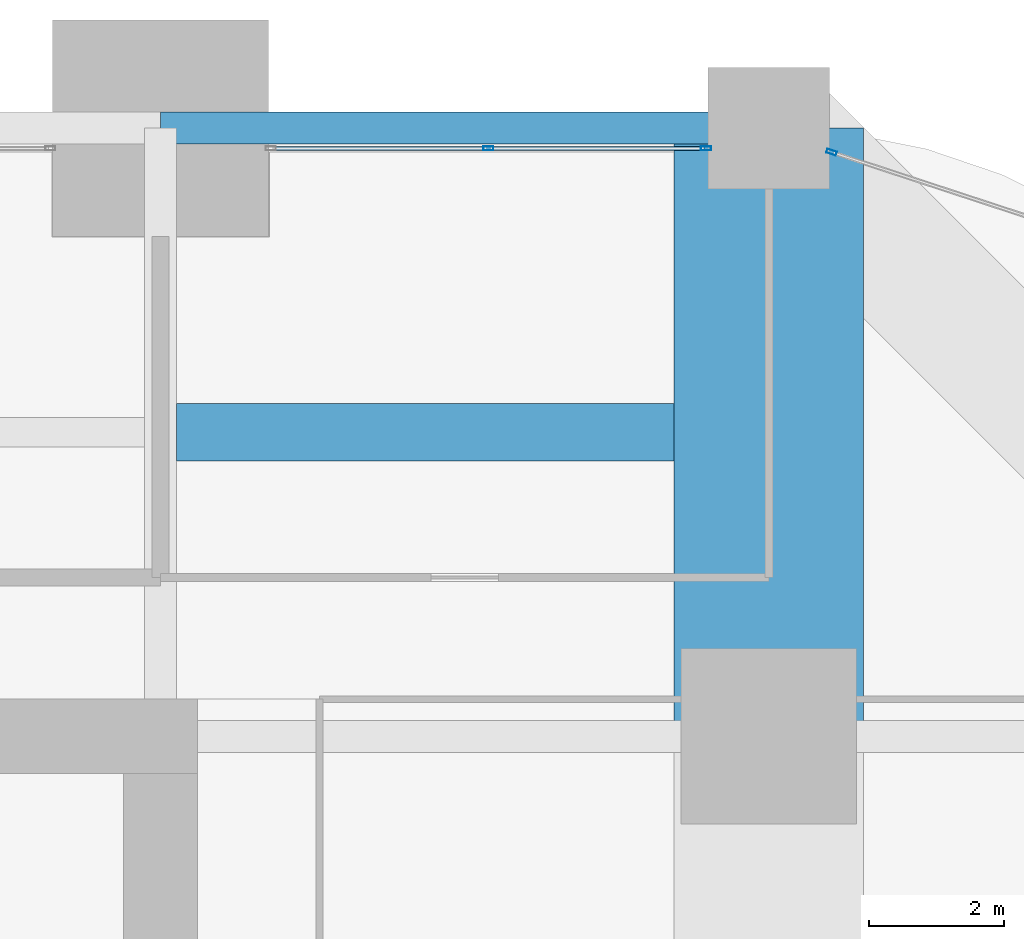
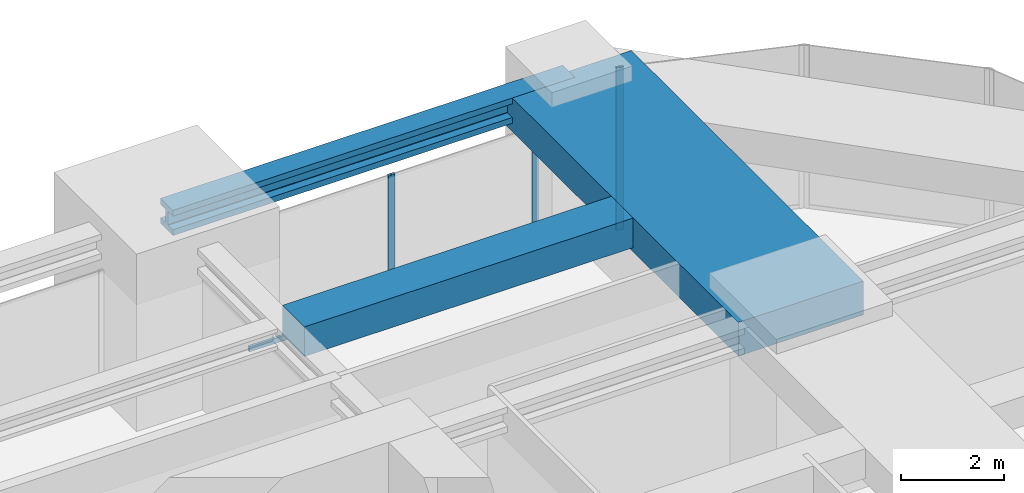
# One storey, part 38 of 45: 4 members, 3 beams, 2 elements without a shape of their own.
"""IFC4 building model written with IfcOpenShell, lengths in metres."""

from ifc_helpers import new_model, si_unit, direction, frame, origin, origin_2d, place, context, subcontext, project, spatial, rectangle, hollow_rectangle, i_section, extrude, material, material_profile, profile_set, type_object, element, aggregate, save


model = new_model("IFC4")

# Units and contexts
model_context = context("Model", 3, precision=1e-05, world=origin(), true_north=direction((0.0, 1.0)))
body_context = subcontext(model_context, "Body", "Model", "MODEL_VIEW")
ifc_project = project(units=[si_unit("LENGTHUNIT", "METRE"), si_unit("AREAUNIT", "SQUARE_METRE"), si_unit("VOLUMEUNIT", "CUBIC_METRE"), si_unit("PLANEANGLEUNIT", "RADIAN"), si_unit("MASSUNIT", "GRAM", prefix="KILO")], contexts=[model_context])

# Site, building, storey
site_placement = place(None, origin())
site = spatial("IfcSite", under=ifc_project, at=site_placement, CompositionType="ELEMENT")
building_placement = place(site_placement, origin())
building = spatial("IfcBuilding", under=site, at=building_placement, Name="Zorevar Civic Tower", CompositionType="ELEMENT")
storey_placement = place(building_placement, frame((0.0, 0.0, 153.0)))
storey = spatial("IfcBuildingStorey", under=building, at=storey_placement, Name="L37", CompositionType="ELEMENT", Elevation=153.0)

# Beams
ifc_material_1 = material(Name="Concrete C50/60", Category="concrete")
ifc_material_profile_1 = material_profile(ifc_material_1, rectangle(XDim=2.800048828125, YDim=0.800048828125, at=origin_2d()), Name="RC 2800x800")
ifc_profile_set_1 = profile_set([ifc_material_profile_1], Name="Concrete C50/60")
beam_type_1 = type_object("IfcBeamType", Name="Beam RC 2800x800", PredefinedType="BEAM", material=ifc_profile_set_1)
beam_1_placement = place(storey_placement, frame((54.0, 36.0, 3.449951171875), z_axis=(0.0, 1.0, 0.0), x_axis=(-1.0, 0.0, 0.0)))
element("IfcBeam", 1, at=beam_1_placement, inside=storey, type_object=beam_type_1, Name="Girder L38", PredefinedType="BEAM", context=body_context, shape_type="SweptSolid", body=[
    extrude(rectangle(XDim=2.800048828125, YDim=0.800048828125, at=origin_2d()), origin(), (0.0, 0.0, 1.0), 9.0),
])
ifc_material_2 = material(Name="Concrete C50/60", Category="concrete")
ifc_material_profile_2 = material_profile(ifc_material_2, rectangle(XDim=0.85009765625, YDim=0.699951171875, at=origin_2d()), Name="RC 850x700")
ifc_profile_set_2 = profile_set([ifc_material_profile_2], Name="Concrete C50/60")
beam_type_2 = type_object("IfcBeamType", Name="Beam RC 850x700", PredefinedType="BEAM", material=ifc_profile_set_2)
beam_2_placement = place(storey_placement, frame((45.238037109375, 40.5, 3.5), z_axis=(1.0, 0.0, 0.0), x_axis=(0.0, 1.0, 0.0)))
element("IfcBeam", 2, at=beam_2_placement, inside=storey, type_object=beam_type_2, Name="Secondary beam L38", PredefinedType="BEAM", context=body_context, shape_type="SweptSolid", body=[
    extrude(rectangle(XDim=0.85009765625, YDim=0.699951171875, at=origin_2d()), origin(), (0.0, 0.0, 1.0), 7.362060546875),
])
ifc_material_3 = material(Name="Steel S460M (HISTAR 460)", Category="steel")
ifc_material_profile_3 = material_profile(ifc_material_3, i_section(OverallWidth=0.47607421875, OverallDepth=0.60009765625, WebThickness=0.10009765625, FlangeThickness=0.139892578125, FilletRadius=0.014892578125, at=origin_2d()), Name="HD 400x1299")
ifc_profile_set_3 = profile_set([ifc_material_profile_3], Name="Steel S460M (HISTAR 460)")
beam_type_3 = type_object("IfcBeamType", Name="Belt chord HD 400x1299", PredefinedType="BEAM", material=ifc_profile_set_3)
beam_3_placement = place(storey_placement, frame((45.0, 45.0, 3.550048828125), z_axis=(1.0, 0.0, 0.0), x_axis=(0.0, 1.0, 0.0)))
element("IfcBeam", 3, at=beam_3_placement, inside=storey, type_object=beam_type_3, Name="Belt chord L38", PredefinedType="BEAM", context=body_context, shape_type="SweptSolid", body=[
    extrude(i_section(OverallWidth=0.47607421875, OverallDepth=0.60009765625, WebThickness=0.10009765625, FlangeThickness=0.139892578125, FilletRadius=0.014892578125, at=origin_2d()), origin(), (0.0, 0.0, 1.0), 9.0),
])

# Curtain wall, members
ifc_material_4 = material(Name="Dark grey solar-control glass in black aluminium frame", Category="aluminium")
curtain_wall_type = type_object("IfcCurtainWallType", Name="Curtain wall CW3 mid zone", PredefinedType="NOTDEFINED", material=ifc_material_4)
curtain_wall_1_placement = place(storey_placement, origin())
curtain_wall_1 = element("IfcCurtainWall", 4, at=curtain_wall_1_placement, inside=storey, type_object=curtain_wall_type, Name="CW3 L37", PredefinedType="NOTDEFINED")
ifc_material_5 = material(Name="Aluminium, black anodised", Category="aluminium")
ifc_material_profile_4 = material_profile(ifc_material_5, hollow_rectangle(XDim=0.06005859375, YDim=0.14990234375, WallThickness=0.00390625, at=origin_2d()), Name="AL 150x60x4")
ifc_profile_set_4 = profile_set([ifc_material_profile_4], Name="Aluminium, black anodised")
member_type_1 = type_object("IfcMemberType", Name="CW3 mullion AL 150x60x4", PredefinedType="MULLION", material=ifc_profile_set_4)
member_1_placement = place(storey_placement, frame((49.85009765625, 44.699951171875, 0.06005859375), z_axis=(0.0, 0.0, 1.0), x_axis=(0.0, 1.0, 0.0)))
member_1 = element("IfcMember", 5, at=member_1_placement, type_object=member_type_1, Name="CW3 mullion 2", PredefinedType="MULLION", context=body_context, shape_type="SweptSolid", body=[
    extrude(hollow_rectangle(XDim=0.06005859375, YDim=0.14990234375, WallThickness=0.00390625, at=origin_2d()), origin(), (0.0, 0.0, 1.0), 2.989990234375),
])
member_2_placement = place(storey_placement, frame((53.070068359375, 44.699951171875, 0.0), z_axis=(0.0, 0.0, 1.0), x_axis=(0.0, 1.0, 0.0)))
member_2 = element("IfcMember", 6, at=member_2_placement, type_object=member_type_1, Name="CW3 mullion 3", PredefinedType="MULLION", context=body_context, shape_type="SweptSolid", body=[
    extrude(hollow_rectangle(XDim=0.06005859375, YDim=0.14990234375, WallThickness=0.00390625, at=origin_2d()), origin(), (0.0, 0.0, 1.0), 3.050048828125),
])

# Curtain wall, member
curtain_wall_2_placement = place(storey_placement, origin())
curtain_wall_2 = element("IfcCurtainWall", 7, at=curtain_wall_2_placement, inside=storey, type_object=curtain_wall_type, Name="CW3 L37", PredefinedType="NOTDEFINED")
member_3_placement = place(storey_placement, frame((54.928466796875, 44.64404296875, 0.0), z_axis=(0.0, 0.0, 1.0), x_axis=(-0.31203637361, -0.950070156117, 0.0)))
member_3 = element("IfcMember", 8, at=member_3_placement, type_object=member_type_1, Name="CW3 mullion 2", PredefinedType="MULLION", context=body_context, shape_type="SweptSolid", body=[
    extrude(hollow_rectangle(XDim=0.06005859375, YDim=0.14990234375, WallThickness=0.00390625, at=origin_2d()), origin(), (0.0, 0.0, 1.0), 3.85009765625),
])
aggregate(curtain_wall_2, [member_3])

# Member
ifc_material_6 = material(Name="Aluminium, black anodised", Category="aluminium")
ifc_material_profile_5 = material_profile(ifc_material_6, hollow_rectangle(XDim=0.06005859375, YDim=0.1201171875, WallThickness=0.0029296875, at=origin_2d()), Name="AL 120x60x3")
ifc_profile_set_5 = profile_set([ifc_material_profile_5], Name="Aluminium, black anodised")
member_type_2 = type_object("IfcMemberType", Name="CW3 transom AL 120x60x3", PredefinedType="USERDEFINED", material=ifc_profile_set_5)
member_4_placement = place(storey_placement, frame((46.659912109375, 44.699951171875, 0.030029296875), z_axis=(1.0, 0.0, 0.0), x_axis=(0.0, 1.0, 0.0)))
member_4 = element("IfcMember", 9, at=member_4_placement, type_object=member_type_2, Name="CW3 sill transom", ObjectType="TRANSOM", PredefinedType="USERDEFINED", context=body_context, shape_type="SweptSolid", body=[
    extrude(hollow_rectangle(XDim=0.06005859375, YDim=0.1201171875, WallThickness=0.0029296875, at=origin_2d()), origin(), (0.0, 0.0, 1.0), 6.380126953125),
])

aggregate(curtain_wall_1, [member_1, member_2, member_4])

save(model, "model.ifc")
